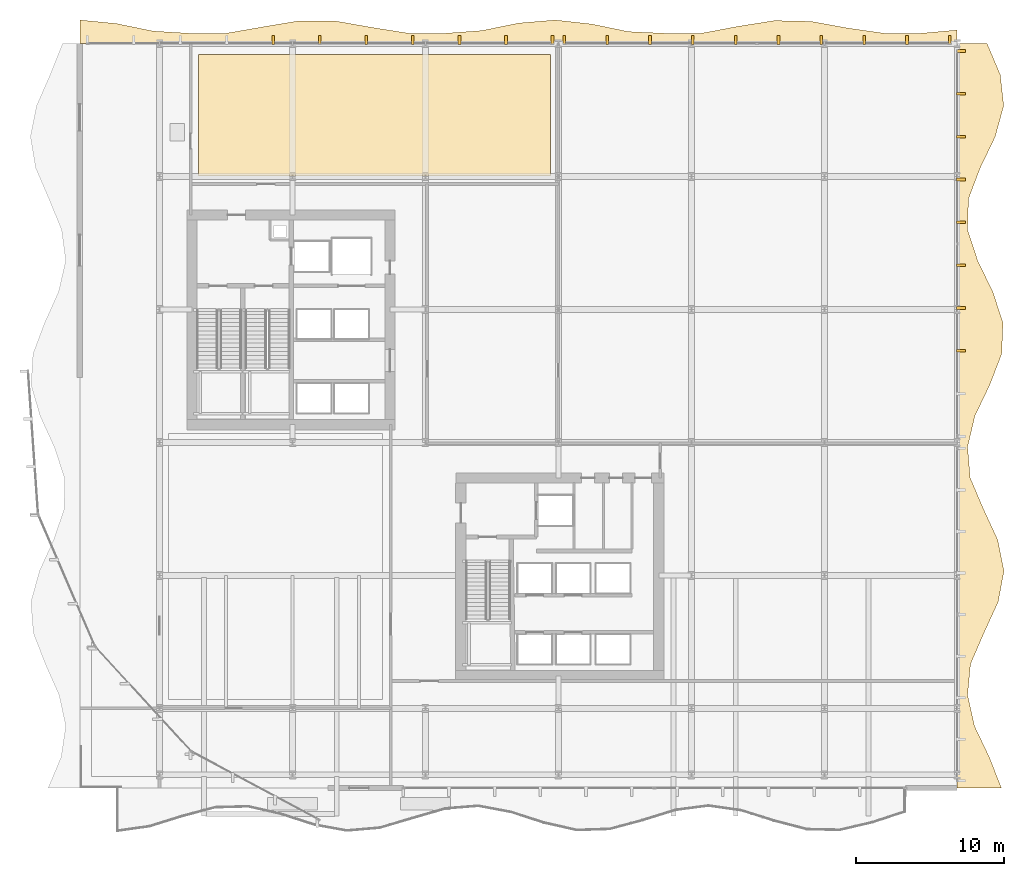
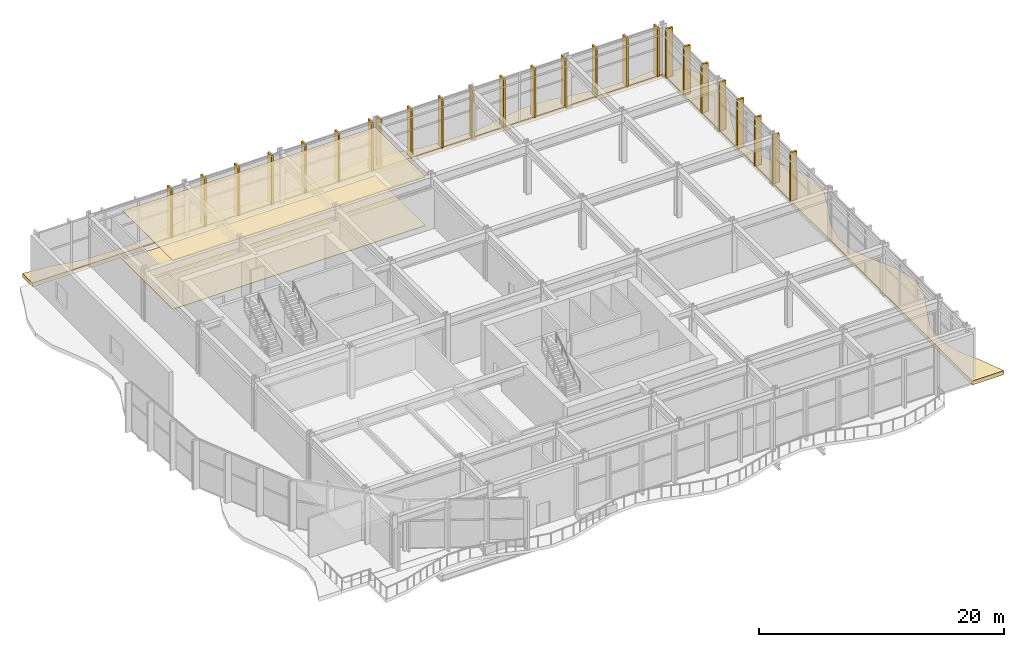
# One storey, part 30 of 31: 29 coverings.
"""IFC4 building model written with IfcOpenShell, lengths in metres."""

from ifc_helpers import new_model, si_unit, direction, frame, origin, origin_2d, place, context, subcontext, project, spatial, polyline, rectangle, outline, extrude, material, layer, layer_set, type_object, element, save


model = new_model("IFC4")

# Units and contexts
model_context = context("Model", 3, precision=1e-05, world=origin(), true_north=direction((0.0, 1.0)))
body_context = subcontext(model_context, "Body", "Model", "MODEL_VIEW")
ifc_project = project(units=[si_unit("LENGTHUNIT", "METRE"), si_unit("AREAUNIT", "SQUARE_METRE"), si_unit("VOLUMEUNIT", "CUBIC_METRE"), si_unit("PLANEANGLEUNIT", "RADIAN"), si_unit("MASSUNIT", "GRAM", prefix="KILO")], contexts=[model_context])

# Site, building, storey
site_placement = place(None, origin())
site = spatial("IfcSite", under=ifc_project, at=site_placement, CompositionType="ELEMENT")
building_placement = place(site_placement, origin())
building = spatial("IfcBuilding", under=site, at=building_placement, Name="Solvaryn Broadcast Tower", CompositionType="ELEMENT")
storey_placement = place(building_placement, frame((0.0, 0.0, 11.0)))
storey = spatial("IfcBuildingStorey", under=building, at=storey_placement, Name="L02", CompositionType="ELEMENT", Elevation=11.0)

# Coverings
ifc_material_1 = material(Name="Studio Acoustic Mineral-Wool Baffle Ceiling", Category="concrete")
ifc_layer_1 = layer(ifc_material_1, 0.06005859375)
ifc_layer_set_1 = layer_set([ifc_layer_1], Name="CV-CEIL-BAFFLE")
covering_type_1 = type_object("IfcCoveringType", Name="CV-CEIL-BAFFLE", PredefinedType="CEILING", material=ifc_layer_set_1)
covering_1_placement = place(storey_placement, frame((0.0, 0.0, 4.840087890625)))
element("IfcCovering", 1, at=covering_1_placement, inside=storey, type_object=covering_type_1, Name="L02 Room Acoustic Ceiling 2", PredefinedType="CEILING", context=body_context, shape_type="SweptSolid", body=[
    extrude(outline(polyline([(11.64990234375, 45.050048828125), (35.449951171875, 45.050048828125), (35.449951171875, 53.25), (11.64990234375, 53.25), (11.64990234375, 45.050048828125)])), origin(), (0.0, 0.0, 1.0), 0.039794921875),
])
ifc_material_2 = material(Name="Isolated Broadcast Studio Floating Acoustic Floor", Category="concrete")
ifc_layer_2 = layer(ifc_material_2, 0.080078125)
ifc_layer_set_2 = layer_set([ifc_layer_2], Name="CV-FLOOR-STUDIO")
covering_type_2 = type_object("IfcCoveringType", Name="CV-FLOOR-STUDIO", PredefinedType="FLOORING", material=ifc_layer_set_2)
covering_2_placement = place(storey_placement, origin())
element("IfcCovering", 2, at=covering_2_placement, inside=storey, type_object=covering_type_2, Name="L02 Room Acoustic Floor Finish 2", PredefinedType="FLOORING", context=body_context, shape_type="SweptSolid", body=[
    extrude(outline(polyline([(11.64990234375, 45.050048828125), (35.449951171875, 45.050048828125), (35.449951171875, 53.25), (11.64990234375, 53.25), (11.64990234375, 45.050048828125)])), origin(), (0.0, 0.0, 1.0), 0.050048828125),
])
ifc_material_3 = material(Name="Extruded Architectural Terracotta Fin", Category="masonry")
ifc_layer_3 = layer(ifc_material_3, 0.179931640625)
ifc_layer_set_3 = layer_set([ifc_layer_3], Name="CV-TC-FIN")
covering_type_3 = type_object("IfcCoveringType", Name="CV-TC-FIN", PredefinedType="USERDEFINED", material=ifc_layer_set_3)
for number, where, z_axis, x_axis, name in (
    (3, (16.699951171875, 54.25, 0.0), (0.0, 0.0, 1.0), (1.0, 0.0, 0.0), "L02 Terracotta Vertical Fin FIN-POD-L02-N1-04"),
    (4, (19.85009765625, 54.25, 0.0), (0.0, 0.0, 1.0), (1.0, 0.0, 0.0), "L02 Terracotta Vertical Fin FIN-POD-L02-N1-05"),
    (5, (23.0, 54.25, 0.0), (0.0, 0.0, 1.0), (1.0, 0.0, 0.0), "L02 Terracotta Vertical Fin FIN-POD-L02-N1-06"),
    (6, (26.14990234375, 54.25, 0.0), (0.0, 0.0, 1.0), (1.0, 0.0, 0.0), "L02 Terracotta Vertical Fin FIN-POD-L02-N1-07"),
    (7, (29.300048828125, 54.25, 0.0), (0.0, 0.0, 1.0), (1.0, 0.0, 0.0), "L02 Terracotta Vertical Fin FIN-POD-L02-N1-08"),
    (8, (32.449951171875, 54.25, 0.0), (0.0, 0.0, 1.0), (1.0, 0.0, 0.0), "L02 Terracotta Vertical Fin FIN-POD-L02-N1-09"),
    (9, (35.60009765625, 54.25, 0.0), (0.0, 0.0, 1.0), (1.0, 0.0, 0.0), "L02 Terracotta Vertical Fin FIN-POD-L02-N1-10"),
    (10, (36.39990234375, 54.25, 0.0), (0.0, 0.0, 1.0), (1.0, 0.0, 0.0), "L02 Terracotta Vertical Fin FIN-POD-L02-N2-00"),
    (11, (39.300048828125, 54.25, 0.0), (0.0, 0.0, 1.0), (1.0, 0.0, 0.0), "L02 Terracotta Vertical Fin FIN-POD-L02-N2-01"),
    (12, (42.199951171875, 54.25, 0.0), (0.0, 0.0, 1.0), (1.0, 0.0, 0.0), "L02 Terracotta Vertical Fin FIN-POD-L02-N2-02"),
    (13, (45.10009765625, 54.25, 0.0), (0.0, 0.0, 1.0), (1.0, 0.0, 0.0), "L02 Terracotta Vertical Fin FIN-POD-L02-N2-03"),
    (14, (48.0, 54.25, 0.0), (0.0, 0.0, 1.0), (1.0, 0.0, 0.0), "L02 Terracotta Vertical Fin FIN-POD-L02-N2-04"),
    (15, (50.89990234375, 54.25, 0.0), (0.0, 0.0, 1.0), (1.0, 0.0, 0.0), "L02 Terracotta Vertical Fin FIN-POD-L02-N2-05"),
    (16, (53.800048828125, 54.25, 0.0), (0.0, 0.0, 1.0), (1.0, 0.0, 0.0), "L02 Terracotta Vertical Fin FIN-POD-L02-N2-06"),
    (17, (56.699951171875, 54.25, 0.0), (0.0, 0.0, 1.0), (1.0, 0.0, 0.0), "L02 Terracotta Vertical Fin FIN-POD-L02-N2-07"),
    (18, (59.60009765625, 54.25, 0.0), (0.0, 0.0, 1.0), (1.0, 0.0, 0.0), "L02 Terracotta Vertical Fin FIN-POD-L02-N2-08"),
    (19, (62.5, 54.25, 0.0), (0.0, 0.0, 1.0), (1.0, 0.0, 0.0), "L02 Terracotta Vertical Fin FIN-POD-L02-N2-09"),
):
    element("IfcCovering", number, at=place(storey_placement, frame(where, z_axis=z_axis, x_axis=x_axis)), inside=storey, type_object=covering_type_3, Name=name, ObjectType="FIN", PredefinedType="USERDEFINED", context=body_context, shape_type="SweptSolid", body=[
        extrude(rectangle(XDim=0.179931640625, YDim=0.6201171875, at=origin_2d()), origin(), (0.0, 0.0, 1.0), 4.8798828125),
    ])
for number, where, z_axis, x_axis, name in (
    (20, (63.25, 53.5, 0.0), (0.0, 0.0, 1.0), (1.0, 0.0, 0.0), "L02 Terracotta Vertical Fin FIN-POD-L02-E1-00"),
    (21, (63.25, 50.60009765625, 0.0), (0.0, 0.0, 1.0), (1.0, 0.0, 0.0), "L02 Terracotta Vertical Fin FIN-POD-L02-E1-01"),
    (22, (63.25, 47.699951171875, 0.0), (0.0, 0.0, 1.0), (1.0, 0.0, 0.0), "L02 Terracotta Vertical Fin FIN-POD-L02-E1-02"),
    (23, (63.25, 44.800048828125, 0.0), (0.0, 0.0, 1.0), (1.0, 0.0, 0.0), "L02 Terracotta Vertical Fin FIN-POD-L02-E1-03"),
    (24, (63.25, 41.89990234375, 0.0), (0.0, 0.0, 1.0), (1.0, 0.0, 0.0), "L02 Terracotta Vertical Fin FIN-POD-L02-E1-04"),
    (25, (63.25, 39.0, 0.0), (0.0, 0.0, 1.0), (1.0, 0.0, 0.0), "L02 Terracotta Vertical Fin FIN-POD-L02-E1-05"),
    (26, (63.25, 36.10009765625, 0.0), (0.0, 0.0, 1.0), (1.0, 0.0, 0.0), "L02 Terracotta Vertical Fin FIN-POD-L02-E1-06"),
    (27, (63.25, 33.199951171875, 0.0), (0.0, 0.0, 1.0), (1.0, 0.0, 0.0), "L02 Terracotta Vertical Fin FIN-POD-L02-E1-07"),
):
    element("IfcCovering", number, at=place(storey_placement, frame(where, z_axis=z_axis, x_axis=x_axis)), inside=storey, type_object=covering_type_3, Name=name, ObjectType="FIN", PredefinedType="USERDEFINED", context=body_context, shape_type="SweptSolid", body=[
        extrude(rectangle(XDim=0.6201171875, YDim=0.179931640625, at=origin_2d()), origin(), (0.0, 0.0, 1.0), 4.8798828125),
    ])
ifc_material_4 = material(Name="Sculpted Architectural Terracotta Wave Fascia", Category="masonry")
ifc_layer_4 = layer(ifc_material_4, 0.340087890625)
ifc_layer_set_4 = layer_set([ifc_layer_4], Name="CV-WAVE-TRAY")
covering_type_4 = type_object("IfcCoveringType", Name="CV-WAVE-TRAY", PredefinedType="CLADDING", material=ifc_layer_set_4)
covering_3_placement = place(storey_placement, frame((0.0, 0.0, -0.360107421875)))
element("IfcCovering", 28, at=covering_3_placement, inside=storey, type_object=covering_type_4, Name="L02 Spreading Wave Tray Apron N", PredefinedType="CLADDING", context=body_context, shape_type="SweptSolid", body=[
    extrude(outline(polyline([(3.60009765625, 54.0), (6.074951171875, 54.0), (8.550048828125, 54.0), (11.02490234375, 54.0), (13.5, 54.0), (15.97509765625, 54.0), (18.449951171875, 54.0), (20.925048828125, 54.0), (23.39990234375, 54.0), (25.875, 54.0), (28.35009765625, 54.0), (30.824951171875, 54.0), (33.300048828125, 54.0), (35.77490234375, 54.0), (38.25, 54.0), (40.72509765625, 54.0), (43.199951171875, 54.0), (45.675048828125, 54.0), (48.14990234375, 54.0), (50.625, 54.0), (53.10009765625, 54.0), (55.574951171875, 54.0), (58.050048828125, 54.0), (60.52490234375, 54.0), (63.0, 54.0), (63.0, 54.922119140625), (60.52490234375, 54.699951171875), (58.050048828125, 54.699951171875), (55.574951171875, 55.054931640625), (53.10009765625, 55.507080078125), (50.625, 55.56005859375), (48.14990234375, 55.16796875), (45.675048828125, 54.699951171875), (43.199951171875, 54.699951171875), (40.72509765625, 54.81494140625), (38.25, 55.327880859375), (35.77490234375, 55.59912109375), (33.300048828125, 55.39111328125), (30.824951171875, 54.885009765625), (28.35009765625, 54.699951171875), (25.875, 54.699951171875), (23.39990234375, 55.093017578125), (20.925048828125, 55.527099609375), (18.449951171875, 55.544921875), (15.97509765625, 55.131103515625), (13.5, 54.699951171875), (11.02490234375, 54.699951171875), (8.550048828125, 54.85009765625), (6.074951171875, 55.360107421875), (3.60009765625, 55.60009765625), (3.60009765625, 54.0)])), origin(), (0.0, 0.0, 1.0), 0.400146484375),
])
covering_4_placement = place(storey_placement, frame((0.0, 0.0, -0.360107421875)))
element("IfcCovering", 29, at=covering_4_placement, inside=storey, type_object=covering_type_4, Name="L02 Spreading Wave Tray Apron E", PredefinedType="CLADDING", context=body_context, shape_type="SweptSolid", body=[
    extrude(outline(polyline([(65.993896484375, 3.60009765625), (65.1708984375, 5.699951171875), (64.16796875, 7.800048828125), (63.699951171875, 9.89990234375), (63.89892578125, 12.0), (64.806884765625, 14.10009765625), (65.76806640625, 16.199951171875), (66.1650390625, 18.300048828125), (65.742919921875, 20.39990234375), (64.77294921875, 22.5), (63.8779296875, 24.60009765625), (63.699951171875, 26.699951171875), (64.196044921875, 28.800048828125), (65.2041015625, 30.89990234375), (66.010009765625, 33.0), (66.096923828125, 35.10009765625), (65.408935546875, 37.199951171875), (64.386962890625, 39.300048828125), (63.699951171875, 41.39990234375), (63.761962890625, 43.5), (64.56005859375, 45.60009765625), (65.570068359375, 47.699951171875), (66.14404296875, 49.800048828125), (65.912109375, 51.89990234375), (65.02294921875, 54.0), (63.0, 54.0), (63.0, 51.89990234375), (63.0, 49.800048828125), (63.0, 47.699951171875), (63.0, 45.60009765625), (63.0, 43.5), (63.0, 41.39990234375), (63.0, 39.300048828125), (63.0, 37.199951171875), (63.0, 35.10009765625), (63.0, 33.0), (63.0, 30.89990234375), (63.0, 28.800048828125), (63.0, 26.699951171875), (63.0, 24.60009765625), (63.0, 22.5), (63.0, 20.39990234375), (63.0, 18.300048828125), (63.0, 16.199951171875), (63.0, 14.10009765625), (63.0, 12.0), (63.0, 9.89990234375), (63.0, 7.800048828125), (63.0, 5.699951171875), (63.0, 3.60009765625), (65.993896484375, 3.60009765625)])), origin(), (0.0, 0.0, 1.0), 0.400146484375),
])

save(model, "model.ifc")
